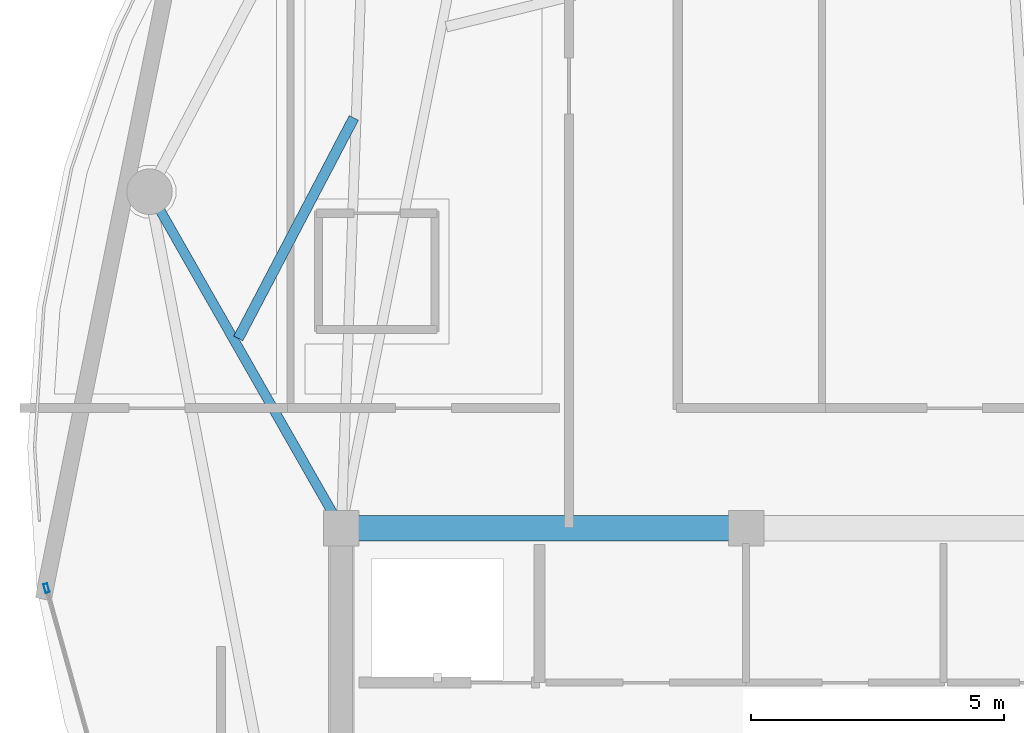
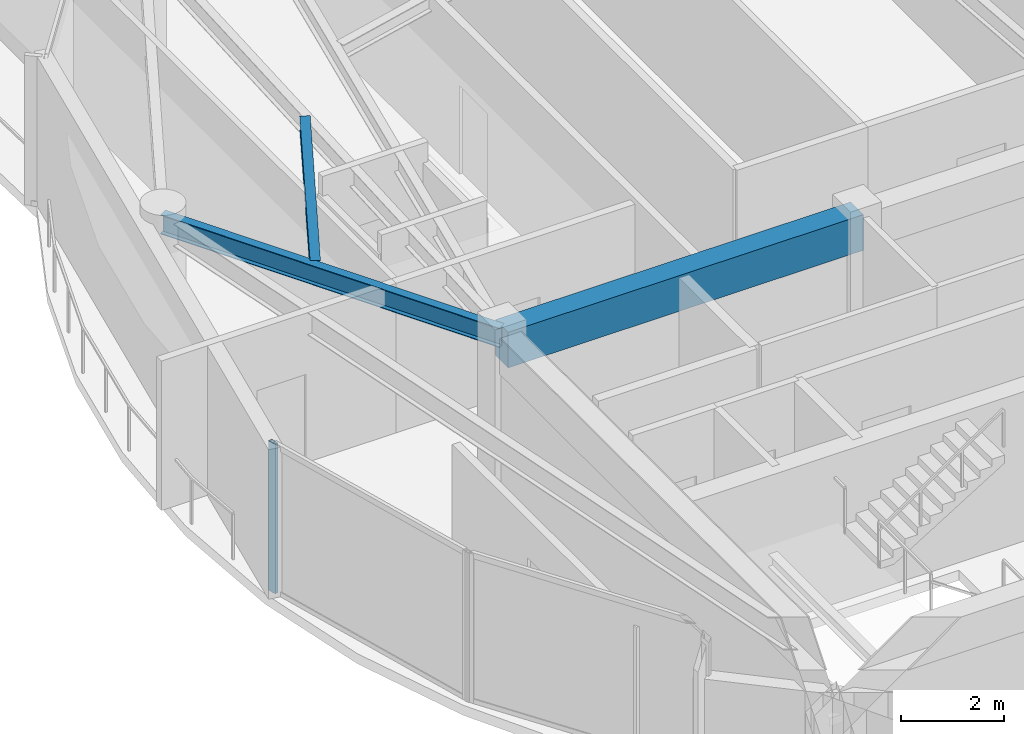
# One storey, part 9 of 29: 3 beams, 1 member, 1 element without a shape of its own.
"""IFC4 building model written with IfcOpenShell, lengths in metres."""

from ifc_helpers import new_model, si_unit, direction, frame, origin, origin_2d, place, context, subcontext, project, spatial, rectangle, hollow_rectangle, i_section, extrude, material, layer, layer_set, material_profile, profile_set, type_object, element, aggregate, save


model = new_model("IFC4")

# Units and contexts
model_context = context("Model", 3, precision=1e-05, world=origin(), true_north=direction((0.0, 1.0)))
body_context = subcontext(model_context, "Body", "Model", "MODEL_VIEW")
ifc_project = project(units=[si_unit("LENGTHUNIT", "METRE"), si_unit("AREAUNIT", "SQUARE_METRE"), si_unit("VOLUMEUNIT", "CUBIC_METRE"), si_unit("PLANEANGLEUNIT", "RADIAN"), si_unit("MASSUNIT", "GRAM", prefix="KILO")], contexts=[model_context])

# Site, building, storey
site_placement = place(None, origin())
site = spatial("IfcSite", under=ifc_project, at=site_placement, CompositionType="ELEMENT")
building_placement = place(site_placement, origin())
building = spatial("IfcBuilding", under=site, at=building_placement, Name="Kazevale Care Tower and Concert Hall", CompositionType="ELEMENT")
storey_placement = place(building_placement, frame((0.0, 0.0, 285.199951171875)))
storey = spatial("IfcBuildingStorey", under=building, at=storey_placement, Name="L75", CompositionType="ELEMENT", Elevation=285.199951171875)

# Curtain wall, member
ifc_material_1 = material(Name="Aluminium 6063-T6 and Low-E Glass", Category="aluminium")
ifc_layer = layer(ifc_material_1, 0.179931640625)
ifc_layer_set = layer_set([ifc_layer], Name="Aluminium 6063-T6 and Low-E Glass")
curtain_wall_type = type_object("IfcCurtainWallType", Name="Waist & Upper Residential Curtain Wall CW-4", PredefinedType="NOTDEFINED", material=ifc_layer_set)
curtain_wall_placement = place(storey_placement, origin())
curtain_wall = element("IfcCurtainWall", 1, at=curtain_wall_placement, inside=storey, type_object=curtain_wall_type, Name="cw:L75:f12", PredefinedType="NOTDEFINED")
ifc_material_2 = material(Name="Aluminium 6063-T6", Category="aluminium")
ifc_material_profile_1 = material_profile(ifc_material_2, hollow_rectangle(XDim=0.080078125, YDim=0.179931640625, WallThickness=0.0048828125, at=origin_2d()), Name="ALU80x180x5")
ifc_profile_set_1 = profile_set([ifc_material_profile_1], Name="Aluminium 6063-T6")
member_type = type_object("IfcMemberType", Name="CW-4 Mullion ALU80x180x5", PredefinedType="MULLION", material=ifc_profile_set_1)
member_placement = place(storey_placement, frame((16.1728515625, 35.215576171875, 0.0), z_axis=(0.0, 0.0, 1.0), x_axis=(-0.963194056491, -0.268807011704, 0.0)))
member = element("IfcMember", 2, at=member_placement, type_object=member_type, Name="CW-4 mullion 2", PredefinedType="MULLION", context=body_context, shape_type="SweptSolid", body=[
    extrude(hollow_rectangle(XDim=0.080078125, YDim=0.179931640625, WallThickness=0.0048828125, at=origin_2d()), origin(), (0.0, 0.0, 1.0), 3.56005859375),
])
aggregate(curtain_wall, [member])

# Beams
ifc_material_3 = material(Name="Concrete C60", Category="concrete")
ifc_material_profile_2 = material_profile(ifc_material_3, rectangle(XDim=0.5, YDim=0.85009765625, at=origin_2d()), Name="RC-B500x850")
ifc_profile_set_2 = profile_set([ifc_material_profile_2], Name="Concrete C60")
beam_type_1 = type_object("IfcBeamType", Name="Core Coupling Beam RC500x850", PredefinedType="LINTEL", material=ifc_profile_set_2)
beam_1_placement = place(storey_placement, frame((30.0, 36.39990234375, 3.135009765625), z_axis=(-1.0, 0.0, 0.0), x_axis=(0.0, -1.0, 0.0)))
element("IfcBeam", 3, at=beam_1_placement, inside=storey, type_object=beam_type_1, Name="beam:L75:coretie:7", PredefinedType="LINTEL", context=body_context, shape_type="SweptSolid", body=[
    extrude(rectangle(XDim=0.5, YDim=0.85009765625, at=origin_2d()), origin(), (0.0, 0.0, 1.0), 8.0),
])
ifc_material_4 = material(Name="Steel ASTM A572 Gr 50", Category="steel")
ifc_material_profile_3 = material_profile(ifc_material_4, i_section(OverallWidth=0.19091796875, OverallDepth=0.4599609375, WebThickness=0.010009765625, FlangeThickness=0.01611328125, at=origin_2d()), Name="W460x82")
ifc_profile_set_3 = profile_set([ifc_material_profile_3], Name="Steel ASTM A572 Gr 50")
beam_type_2 = type_object("IfcBeamType", Name="Radial Floor Beam W460x82", PredefinedType="BEAM", material=ifc_profile_set_3)
beam_2_placement = place(storey_placement, frame((22.0, 36.39990234375, 3.330078125), z_axis=(-0.495149357892, 0.868807869082, 0.0), x_axis=(-0.868807869082, -0.495149357892, 0.0)))
element("IfcBeam", 4, at=beam_2_placement, inside=storey, type_object=beam_type_2, Name="beam:L75:rad:09", PredefinedType="BEAM", context=body_context, shape_type="SweptSolid", body=[
    extrude(i_section(OverallWidth=0.19091796875, OverallDepth=0.4599609375, WebThickness=0.010009765625, FlangeThickness=0.01611328125, at=origin_2d()), origin(), (0.0, 0.0, 1.0), 7.654296875),
])
ifc_material_profile_4 = material_profile(ifc_material_4, i_section(OverallWidth=0.205078125, OverallDepth=0.35400390625, WebThickness=0.009521484375, FlangeThickness=0.016845703125, at=origin_2d()), Name="W360x79")
ifc_profile_set_4 = profile_set([ifc_material_profile_4], Name="Steel ASTM A572 Gr 50")
beam_type_3 = type_object("IfcBeamType", Name="Secondary Floor Joist W360x79", PredefinedType="JOIST", material=ifc_profile_set_4)
beam_3_placement = place(storey_placement, frame((22.248046875, 44.508056640625, 3.383056640625), z_axis=(-0.46418126854, -0.885740227119, 0.0), x_axis=(0.885740227119, -0.46418126854, 0.0)))
element("IfcBeam", 5, at=beam_3_placement, inside=storey, type_object=beam_type_3, Name="beam:L75:joist:08", PredefinedType="JOIST", context=body_context, shape_type="SweptSolid", body=[
    extrude(i_section(OverallWidth=0.205078125, OverallDepth=0.35400390625, WebThickness=0.009521484375, FlangeThickness=0.016845703125, at=origin_2d()), origin(), (0.0, 0.0, 1.0), 4.92041015625),
])

save(model, "model.ifc")
